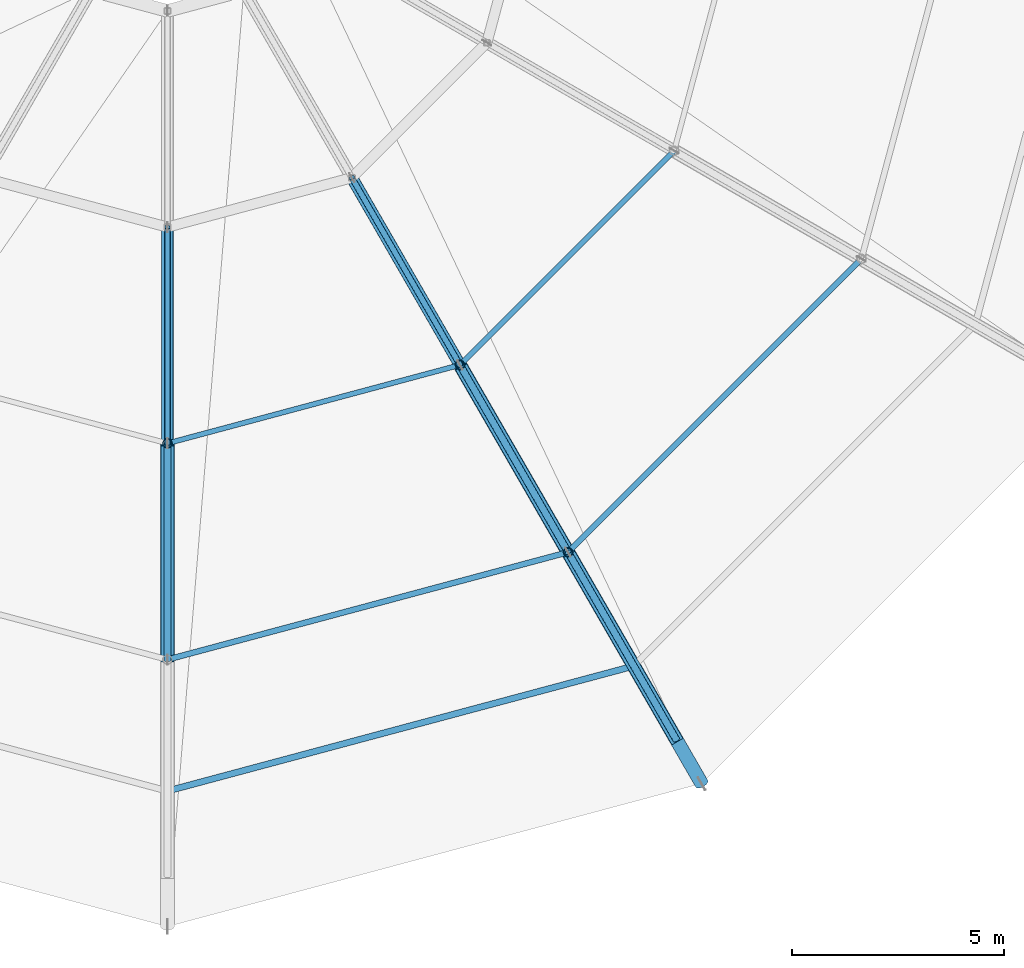
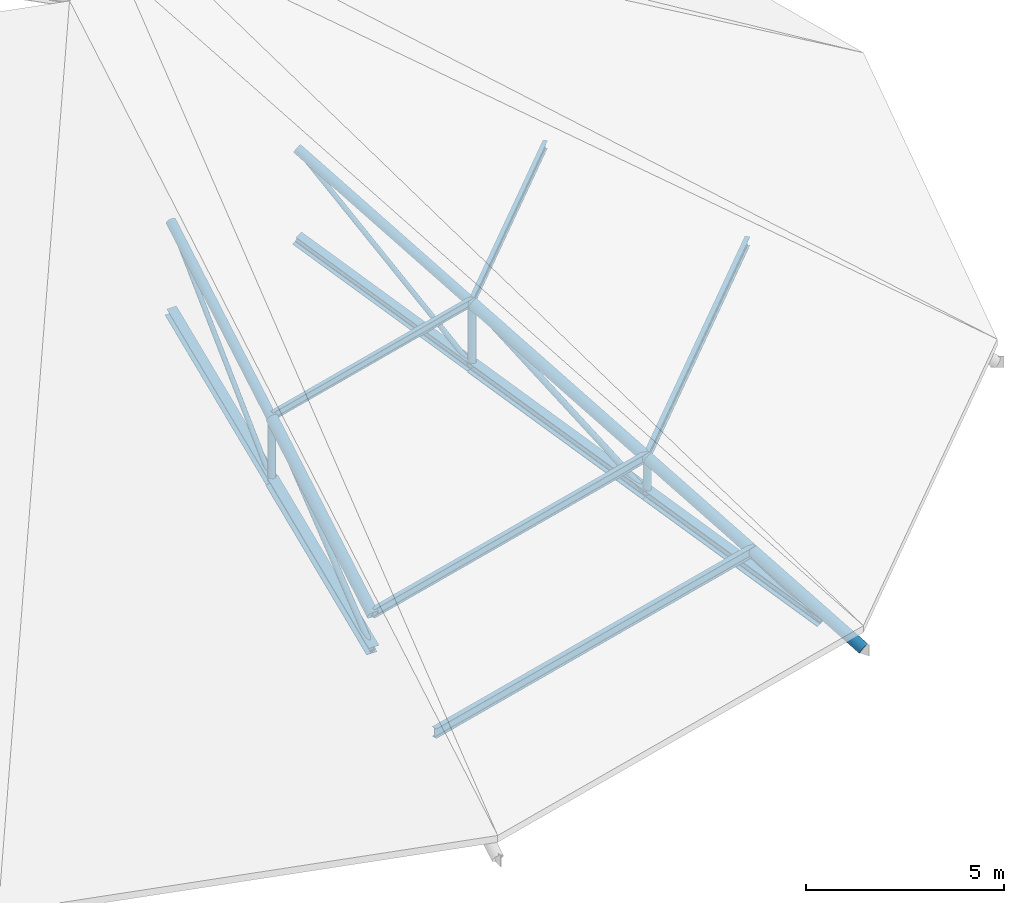
# One storey, part 16 of 58: 23 members.
"""IFC4 building model written with IfcOpenShell, lengths in metres."""

from ifc_helpers import new_model, si_unit, derived_unit, direction, frame, origin, origin_2d, place, context, subcontext, project, spatial, hollow_circle, i_section, extrude, material, material_profile, profile_set, type_object, element, save


model = new_model("IFC4")

# Units and contexts
model_context = context("Model", 3, precision=1e-05, world=origin(), true_north=direction((0.0, 1.0)))
body_context = subcontext(model_context, "Body", "Model", "MODEL_VIEW")
ifc_project = project(units=[si_unit("LENGTHUNIT", "METRE"), si_unit("AREAUNIT", "SQUARE_METRE"), si_unit("VOLUMEUNIT", "CUBIC_METRE"), si_unit("PLANEANGLEUNIT", "RADIAN"), si_unit("MASSUNIT", "GRAM", prefix="KILO"), derived_unit("THERMALTRANSMITTANCEUNIT", [(si_unit("POWERUNIT", "WATT"), 1), (si_unit("AREAUNIT", "SQUARE_METRE"), -1), (si_unit("THERMODYNAMICTEMPERATUREUNIT", "KELVIN"), -1)])], contexts=[model_context])

# Site, building, storey
site_placement = place(None, origin())
site = spatial("IfcSite", under=ifc_project, at=site_placement, CompositionType="ELEMENT")
building_placement = place(site_placement, origin())
building = spatial("IfcBuilding", under=site, at=building_placement, Name="Yasenodar Specialist Clinic", CompositionType="ELEMENT")
storey_placement = place(building_placement, frame((0.0, 0.0, 21.300048828125)))
storey = spatial("IfcBuildingStorey", under=building, at=storey_placement, Name="L05", CompositionType="ELEMENT", Elevation=21.300048828125)

# Members
ifc_material = material(Name="Steel S355", Category="steel")
ifc_material_profile_1 = material_profile(ifc_material, i_section(OverallWidth=0.1201171875, OverallDepth=0.239990234375, WebThickness=0.006103515625, FlangeThickness=0.009765625, FilletRadius=0.014892578125, at=origin_2d()), Name="IPE 240")
ifc_profile_set_1 = profile_set([ifc_material_profile_1], Name="Steel S355")
member_type_1 = type_object("IfcMemberType", Name="PR-IPE240", PredefinedType="PURLIN", material=ifc_profile_set_1)
for number, where, z_axis, x_axis, name in (
    (1, (81.0, 45.0, 6.010009765625), (0.965923947156, 0.258826058022, 0.0), (-0.258826058022, 0.965923947156, 0.0), "Drum Roof Concentric Purlin 3.10"),
    (2, (87.89990234375, 46.848876953125, 6.010009765625), (0.707123869522, 0.707089692438, 0.0), (-0.707089692438, 0.707123869522, 0.0), "Drum Roof Concentric Purlin 3.11"),
):
    element("IfcMember", number, at=place(storey_placement, frame(where, z_axis=z_axis, x_axis=x_axis)), inside=storey, type_object=member_type_1, Name=name, PredefinedType="PURLIN", context=body_context, shape_type="SweptSolid", body=[
        extrude(i_section(OverallWidth=0.1201171875, OverallDepth=0.239990234375, WebThickness=0.006103515625, FlangeThickness=0.009765625, FilletRadius=0.014892578125, at=origin_2d()), origin(), (0.0, 0.0, 1.0), 7.143310546875),
    ])
ifc_material_profile_2 = material_profile(ifc_material, i_section(OverallWidth=0.135009765625, OverallDepth=0.27001953125, WebThickness=0.006591796875, FlangeThickness=0.01025390625, FilletRadius=0.014892578125, at=origin_2d()), Name="IPE 270")
ifc_profile_set_2 = profile_set([ifc_material_profile_2], Name="Steel S355")
member_type_2 = type_object("IfcMemberType", Name="PR-IPE270", PredefinedType="PURLIN", material=ifc_profile_set_2)
for number, where, z_axis, x_axis, name in (
    (3, (81.0, 39.89990234375, 3.034912109375), (0.96592276547, 0.258830467963, 0.0), (-0.258830467963, 0.96592276547, 0.0), "Drum Roof Concentric Purlin 2.10"),
    (4, (90.449951171875, 42.43212890625, 3.034912109375), (0.707106781187, 0.707106781187, 0.0), (-0.707106781187, 0.707106781187, 0.0), "Drum Roof Concentric Purlin 2.11"),
):
    element("IfcMember", number, at=place(storey_placement, frame(where, z_axis=z_axis, x_axis=x_axis)), inside=storey, type_object=member_type_2, Name=name, PredefinedType="PURLIN", context=body_context, shape_type="SweptSolid", body=[
        extrude(i_section(OverallWidth=0.135009765625, OverallDepth=0.27001953125, WebThickness=0.006591796875, FlangeThickness=0.01025390625, FilletRadius=0.014892578125, at=origin_2d()), origin(), (0.0, 0.0, 1.0), 9.783447265625),
    ])
ifc_material_profile_3 = material_profile(ifc_material, i_section(OverallWidth=0.14990234375, OverallDepth=0.300048828125, WebThickness=0.007080078125, FlangeThickness=0.0107421875, FilletRadius=0.014892578125, at=origin_2d()), Name="IPE 300")
ifc_profile_set_3 = profile_set([ifc_material_profile_3], Name="Steel S355")
member_type_3 = type_object("IfcMemberType", Name="PR-IPE300", PredefinedType="PURLIN", material=ifc_profile_set_3)
member_1_placement = place(storey_placement, frame((81.0, 36.800048828125, 1.2265625), z_axis=(0.965929678743, 0.258804667121, 0.0), x_axis=(-0.258804667121, 0.965929678743, 0.0)))
element("IfcMember", 5, at=member_1_placement, inside=storey, type_object=member_type_3, Name="Drum Roof Concentric Purlin 1.10", PredefinedType="PURLIN", context=body_context, shape_type="SweptSolid", body=[
    extrude(i_section(OverallWidth=0.14990234375, OverallDepth=0.300048828125, WebThickness=0.007080078125, FlangeThickness=0.0107421875, FilletRadius=0.014892578125, at=origin_2d()), origin(), (0.0, 0.0, 1.0), 11.387939453125),
])
ifc_material_profile_4 = material_profile(ifc_material, hollow_circle(Radius=0.06982421875, WallThickness=0.00634765625, at=origin_2d()), Name="CHS 139.7x6.3")
ifc_profile_set_4 = profile_set([ifc_material_profile_4], Name="Steel S355")
member_type_4 = type_object("IfcMemberType", Name="TR-BRC-CHS139", PredefinedType="BRACE", material=ifc_profile_set_4)
member_2_placement = place(storey_placement, frame((81.0, 45.0, 4.02490234375), z_axis=(0.0, 0.721100990621, 0.692829965666), x_axis=(-1.0, 0.0, 0.0)))
element("IfcMember", 6, at=member_2_placement, inside=storey, type_object=member_type_4, Name="Drum Roof Truss 10 Web Diagonal 3", PredefinedType="BRACE", context=body_context, shape_type="SweptSolid", body=[
    extrude(hollow_circle(Radius=0.06982421875, WallThickness=0.00634765625, at=origin_2d()), origin(), (0.0, 0.0, 1.0), 7.07275390625),
])
member_3_placement = place(storey_placement, frame((87.89990234375, 46.848876953125, 4.02490234375), z_axis=(-0.360522566873, 0.624493848841, 0.692842631147), x_axis=(-0.866042892689, -0.499969707105, 0.0)))
element("IfcMember", 7, at=member_3_placement, inside=storey, type_object=member_type_4, Name="Drum Roof Truss 11 Web Diagonal 3", PredefinedType="BRACE", context=body_context, shape_type="SweptSolid", body=[
    extrude(hollow_circle(Radius=0.06982421875, WallThickness=0.00634765625, at=origin_2d()), origin(), (0.0, 0.0, 1.0), 7.072509765625),
])
ifc_material_profile_5 = material_profile(ifc_material, hollow_circle(Radius=0.084228515625, WallThickness=0.008056640625, at=origin_2d()), Name="CHS 168.3x8")
ifc_profile_set_5 = profile_set([ifc_material_profile_5], Name="Steel S355")
member_type_5 = type_object("IfcMemberType", Name="TR-BRC-CHS168", PredefinedType="BRACE", material=ifc_profile_set_5)
member_4_placement = place(storey_placement, frame((81.0, 39.89990234375, 1.887451171875), z_axis=(0.0, 0.782182146844, 0.623049828793), x_axis=(-1.0, 0.0, 0.0)))
element("IfcMember", 8, at=member_4_placement, inside=storey, type_object=member_type_5, Name="Drum Roof Truss 10 Web Diagonal 2", PredefinedType="BRACE", context=body_context, shape_type="SweptSolid", body=[
    extrude(hollow_circle(Radius=0.084228515625, WallThickness=0.008056640625, at=origin_2d()), origin(), (0.0, 0.0, 1.0), 6.520263671875),
])
member_5_placement = place(storey_placement, frame((93.0, 38.015380859375, -0.25), z_axis=(-0.422607893936, 0.731967391976, 0.534440179128), x_axis=(-0.86602216432, -0.500005610874, 0.0)))
element("IfcMember", 9, at=member_5_placement, inside=storey, type_object=member_type_5, Name="Drum Roof Truss 11 Web Diagonal 1", PredefinedType="BRACE", context=body_context, shape_type="SweptSolid", body=[
    extrude(hollow_circle(Radius=0.084228515625, WallThickness=0.008056640625, at=origin_2d()), origin(), (0.0, 0.0, 1.0), 6.0341796875),
])
member_6_placement = place(storey_placement, frame((90.449951171875, 42.43212890625, 1.887451171875), z_axis=(-0.391093758466, 0.677384124883, 0.623054106354), x_axis=(-0.86602216432, -0.500005610874, 0.0)))
element("IfcMember", 10, at=member_6_placement, inside=storey, type_object=member_type_5, Name="Drum Roof Truss 11 Web Diagonal 2", PredefinedType="BRACE", context=body_context, shape_type="SweptSolid", body=[
    extrude(hollow_circle(Radius=0.084228515625, WallThickness=0.008056640625, at=origin_2d()), origin(), (0.0, 0.0, 1.0), 6.520263671875),
])
ifc_material_profile_6 = material_profile(ifc_material, hollow_circle(Radius=0.136474609375, WallThickness=0.012451171875, at=origin_2d()), Name="CHS 273x12.5")
ifc_profile_set_6 = profile_set([ifc_material_profile_6], Name="Steel S355")
member_type_6 = type_object("IfcMemberType", Name="TR-CHD-CHS273", PredefinedType="CHORD", material=ifc_profile_set_6)
member_7_placement = place(storey_placement, frame((81.0, 45.0, 5.949951171875), z_axis=(0.0, 0.86377590149, 0.503876167332), x_axis=(-1.0, 0.0, 0.0)))
element("IfcMember", 11, at=member_7_placement, inside=storey, type_object=member_type_6, Name="Drum Roof Truss 10 Top Chord 3", PredefinedType="CHORD", context=body_context, shape_type="SweptSolid", body=[
    extrude(hollow_circle(Radius=0.136474609375, WallThickness=0.012451171875, at=origin_2d()), origin(), (0.0, 0.0, 1.0), 5.904541015625),
])
member_8_placement = place(storey_placement, frame((87.89990234375, 46.848876953125, 5.949951171875), z_axis=(-0.431857929617, 0.748060303017, 0.503889384366), x_axis=(-0.866042892689, -0.499969707105, 0.0)))
element("IfcMember", 12, at=member_8_placement, inside=storey, type_object=member_type_6, Name="Drum Roof Truss 11 Top Chord 3", PredefinedType="CHORD", context=body_context, shape_type="SweptSolid", body=[
    extrude(hollow_circle(Radius=0.136474609375, WallThickness=0.012451171875, at=origin_2d()), origin(), (0.0, 0.0, 1.0), 5.904296875),
])
ifc_material_profile_7 = material_profile(ifc_material, hollow_circle(Radius=0.161865234375, WallThickness=0.01611328125, at=origin_2d()), Name="CHS 323.9x16")
ifc_profile_set_7 = profile_set([ifc_material_profile_7], Name="Steel S355")
member_type_7 = type_object("IfcMemberType", Name="TR-CHD-CHS324", PredefinedType="CHORD", material=ifc_profile_set_7)
member_9_placement = place(storey_placement, frame((81.0, 39.89990234375, 2.974853515625), z_axis=(0.0, 0.86377590149, 0.503876167332), x_axis=(-1.0, 0.0, 0.0)))
element("IfcMember", 13, at=member_9_placement, inside=storey, type_object=member_type_7, Name="Drum Roof Truss 10 Top Chord 2", PredefinedType="CHORD", context=body_context, shape_type="SweptSolid", body=[
    extrude(hollow_circle(Radius=0.161865234375, WallThickness=0.01611328125, at=origin_2d()), origin(), (0.0, 0.0, 1.0), 5.904541015625),
])
member_10_placement = place(storey_placement, frame((93.60009765625, 36.976318359375, -0.699951171875), z_axis=(-0.431918238356, 0.748049048481, 0.503854400042), x_axis=(-0.866009402589, -0.500027713859, 0.0)))
element("IfcMember", 14, at=member_10_placement, inside=storey, type_object=member_type_7, Name="Drum Roof Truss 11 Top Chord 1", PredefinedType="CHORD", context=body_context, shape_type="SweptSolid", body=[
    extrude(hollow_circle(Radius=0.161865234375, WallThickness=0.01611328125, at=origin_2d()), origin(), (0.0, 0.0, 1.0), 7.29345703125),
])
member_11_placement = place(storey_placement, frame((90.449951171875, 42.43212890625, 2.974853515625), z_axis=(-0.431891566774, 0.748046944425, 0.50388038609), x_axis=(-0.86602216432, -0.500005610874, 0.0)))
element("IfcMember", 15, at=member_11_placement, inside=storey, type_object=member_type_7, Name="Drum Roof Truss 11 Top Chord 2", PredefinedType="CHORD", context=body_context, shape_type="SweptSolid", body=[
    extrude(hollow_circle(Radius=0.161865234375, WallThickness=0.01611328125, at=origin_2d()), origin(), (0.0, 0.0, 1.0), 5.904296875),
])
ifc_material_profile_8 = material_profile(ifc_material, i_section(OverallWidth=0.280029296875, OverallDepth=0.27001953125, WebThickness=0.008056640625, FlangeThickness=0.012939453125, FilletRadius=0.02392578125, at=origin_2d()), Name="HEA 280")
ifc_profile_set_8 = profile_set([ifc_material_profile_8], Name="Steel S355")
member_type_8 = type_object("IfcMemberType", Name="TR-CHD-HEA280", PredefinedType="CHORD", material=ifc_profile_set_8)
for number, where, z_axis, x_axis, name in (
    (16, (81.0, 45.0, 4.02490234375), (0.0, 0.92227816564, 0.386526823369), (-1.0, 0.0, 0.0), "Drum Roof Truss 10 Bottom Chord 3"),
    (17, (87.89990234375, 46.848876953125, 4.02490234375), (-0.461108722296, 0.798728254984, 0.3865383822), (-0.866042892689, -0.499969707105, 0.0), "Drum Roof Truss 11 Bottom Chord 3"),
):
    element("IfcMember", number, at=place(storey_placement, frame(where, z_axis=z_axis, x_axis=x_axis)), inside=storey, type_object=member_type_8, Name=name, PredefinedType="CHORD", context=body_context, shape_type="SweptSolid", body=[
        extrude(i_section(OverallWidth=0.280029296875, OverallDepth=0.27001953125, WebThickness=0.008056640625, FlangeThickness=0.012939453125, FilletRadius=0.02392578125, at=origin_2d()), origin(), (0.0, 0.0, 1.0), 5.52978515625),
    ])
ifc_material_profile_9 = material_profile(ifc_material, i_section(OverallWidth=0.300048828125, OverallDepth=0.300048828125, WebThickness=0.010986328125, FlangeThickness=0.01904296875, FilletRadius=0.027099609375, at=origin_2d()), Name="HEB 300")
ifc_profile_set_9 = profile_set([ifc_material_profile_9], Name="Steel S355")
member_type_9 = type_object("IfcMemberType", Name="TR-CHD-HEB300", PredefinedType="CHORD", material=ifc_profile_set_9)
for number, where, z_axis, x_axis, name in (
    (18, (81.0, 39.89990234375, 1.887451171875), (0.0, 0.92227816564, 0.386526823369), (-1.0, 0.0, 0.0), "Drum Roof Truss 10 Bottom Chord 2"),
    (19, (93.0, 38.015380859375, -0.25), (-0.461143484467, 0.798711994016, 0.38653051283), (-0.86602216432, -0.500005610874, 0.0), "Drum Roof Truss 11 Bottom Chord 1"),
    (20, (90.449951171875, 42.43212890625, 1.887451171875), (-0.461143484467, 0.798711994016, 0.38653051283), (-0.86602216432, -0.500005610874, 0.0), "Drum Roof Truss 11 Bottom Chord 2"),
):
    element("IfcMember", number, at=place(storey_placement, frame(where, z_axis=z_axis, x_axis=x_axis)), inside=storey, type_object=member_type_9, Name=name, PredefinedType="CHORD", context=body_context, shape_type="SweptSolid", body=[
        extrude(i_section(OverallWidth=0.300048828125, OverallDepth=0.300048828125, WebThickness=0.010986328125, FlangeThickness=0.01904296875, FilletRadius=0.027099609375, at=origin_2d()), origin(), (0.0, 0.0, 1.0), 5.52978515625),
    ])
ifc_material_profile_10 = material_profile(ifc_material, hollow_circle(Radius=0.109619140625, WallThickness=0.010009765625, at=origin_2d()), Name="CHS 219.1x10")
ifc_profile_set_10 = profile_set([ifc_material_profile_10], Name="Steel S355")
member_type_10 = type_object("IfcMemberType", Name="TR-STR-CHS219", PredefinedType="STRUT", material=ifc_profile_set_10)
member_12_placement = place(storey_placement, frame((81.0, 45.0, 4.02490234375), z_axis=(0.0, 0.0, 1.0), x_axis=(1.0, 0.0, 0.0)))
element("IfcMember", 21, at=member_12_placement, inside=storey, type_object=member_type_10, Name="Drum Roof Truss 10 Strut 2", PredefinedType="STRUT", context=body_context, shape_type="SweptSolid", body=[
    extrude(hollow_circle(Radius=0.109619140625, WallThickness=0.010009765625, at=origin_2d()), origin(), (0.0, 0.0, 1.0), 1.925048828125),
])
member_13_placement = place(storey_placement, frame((90.449951171875, 42.43212890625, 1.887451171875), z_axis=(0.0, 0.0, 1.0), x_axis=(1.0, 0.0, 0.0)))
element("IfcMember", 22, at=member_13_placement, inside=storey, type_object=member_type_10, Name="Drum Roof Truss 11 Strut 1", PredefinedType="STRUT", context=body_context, shape_type="SweptSolid", body=[
    extrude(hollow_circle(Radius=0.109619140625, WallThickness=0.010009765625, at=origin_2d()), origin(), (0.0, 0.0, 1.0), 1.08740234375),
])
member_14_placement = place(storey_placement, frame((87.89990234375, 46.848876953125, 4.02490234375), z_axis=(0.0, 0.0, 1.0), x_axis=(1.0, 0.0, 0.0)))
element("IfcMember", 23, at=member_14_placement, inside=storey, type_object=member_type_10, Name="Drum Roof Truss 11 Strut 2", PredefinedType="STRUT", context=body_context, shape_type="SweptSolid", body=[
    extrude(hollow_circle(Radius=0.109619140625, WallThickness=0.010009765625, at=origin_2d()), origin(), (0.0, 0.0, 1.0), 1.925048828125),
])

save(model, "model.ifc")
